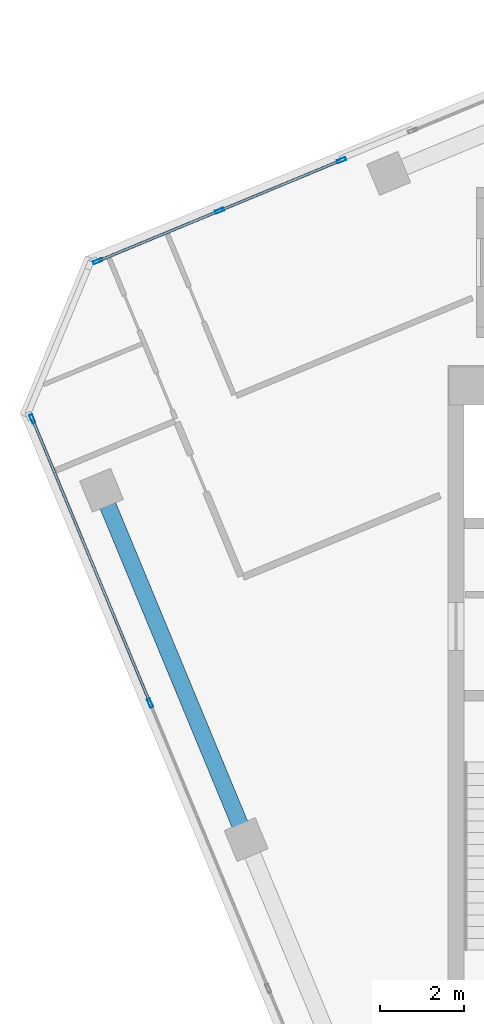
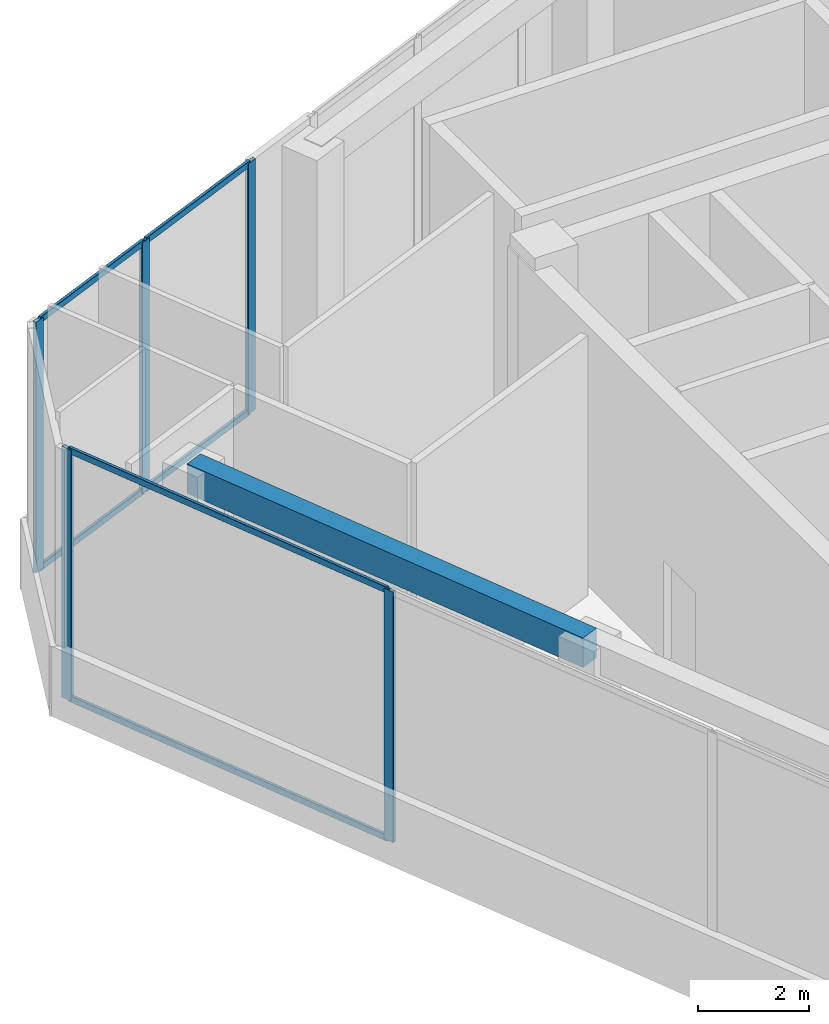
# One storey, part 5 of 16: 11 members, 1 beam, 2 elements without a shape of their own.
"""IFC4 building model written with IfcOpenShell, lengths in metres."""

from ifc_helpers import new_model, si_unit, direction, frame, origin, origin_2d, place, context, subcontext, project, spatial, rectangle, hollow_rectangle, extrude, source, transform, mapped, material, material_profile, profile_set, type_object, element, aggregate, save


model = new_model("IFC4")

# Units and contexts
model_context = context("Model", 3, precision=1e-05, world=origin(), true_north=direction((0.0, 1.0)))
body_context = subcontext(model_context, "Body", "Model", "MODEL_VIEW")
ifc_project = project(units=[si_unit("LENGTHUNIT", "METRE"), si_unit("AREAUNIT", "SQUARE_METRE"), si_unit("VOLUMEUNIT", "CUBIC_METRE"), si_unit("PLANEANGLEUNIT", "RADIAN"), si_unit("MASSUNIT", "GRAM", prefix="KILO")], contexts=[model_context])

# Site, building, storey
site_placement = place(None, origin())
site = spatial("IfcSite", under=ifc_project, at=site_placement, CompositionType="ELEMENT")
building_placement = place(site_placement, origin())
building = spatial("IfcBuilding", under=site, at=building_placement, Name="Torre Montelarca", CompositionType="ELEMENT")
storey_placement = place(building_placement, frame((0.0, 0.0, 360.0)))
storey = spatial("IfcBuildingStorey", under=building, at=storey_placement, Name="L81", CompositionType="ELEMENT", Elevation=360.0)

# Beam
ifc_material_1 = material(Name="Concrete C40/50", Category="concrete")
ifc_material_profile_1 = material_profile(ifc_material_1, rectangle(XDim=0.39990234375, YDim=0.64990234375, at=origin_2d()), Name="RCB400X650", Category="concrete")
ifc_profile_set_1 = profile_set([ifc_material_profile_1], Name="Concrete C40/50")
beam_type = type_object("IfcBeamType", Name="BM-SP-RC650-EXT", PredefinedType="SPANDREL", material=ifc_profile_set_1)
shared_shape_1 = source(origin(), body_context, "Body", "SweptSolid", [
    extrude(rectangle(XDim=0.39990234375, YDim=0.64990234375, at=origin_2d()), origin(), (0.0, 0.0, 1.0), 9.0),
])
beam_placement = place(storey_placement, frame((0.82568359375, 36.96630859375, 5.39501953125), z_axis=(0.382699975578, -0.923872679915, 0.0), x_axis=(0.923872679915, 0.382699975578, 0.0)))
element("IfcBeam", 1, at=beam_placement, inside=storey, type_object=beam_type, Name="L81 Grid Girder X 9.0-18.0 at Y=14.8", PredefinedType="SPANDREL", context=body_context, shape_type="MappedRepresentation", body=[
    mapped(shared_shape_1, transform((0.0, 0.0, 0.0), scale=1.0)),
])

# Curtain wall, members
ifc_material_2 = material(Name="Insulated low-E laminated glass", Category="glass")
curtain_wall_type = type_object("IfcCurtainWallType", Name="CW-SYS-Z4", PredefinedType="USERDEFINED", material=ifc_material_2)
curtain_wall_1_placement = place(storey_placement, origin())
curtain_wall_1 = element("IfcCurtainWall", 2, at=curtain_wall_1_placement, inside=storey, type_object=curtain_wall_type, Name="L81 Curtain Wall Run CW-T3-L81-E01-B1", ObjectType="UNITISED GLAZING", PredefinedType="USERDEFINED")
ifc_material_3 = material(Name="Anodised aluminium AA 6063-T6", Category="aluminium")
ifc_material_profile_2 = material_profile(ifc_material_3, hollow_rectangle(XDim=0.074951171875, YDim=0.219970703125, WallThickness=0.0048828125, InnerFilletRadius=0.0048828125, OuterFilletRadius=0.010009765625, at=origin_2d()), Name="ALU75X220X5", Category="aluminium")
ifc_profile_set_2 = profile_set([ifc_material_profile_2], Name="Anodised aluminium AA 6063-T6")
member_type_1 = type_object("IfcMemberType", Name="CWM-ALU220", PredefinedType="MULLION", material=ifc_profile_set_2)
shared_shape_2 = source(origin(), body_context, "Body", "SweptSolid", [
    extrude(hollow_rectangle(XDim=0.074951171875, YDim=0.219970703125, WallThickness=0.0048828125, InnerFilletRadius=0.0048828125, OuterFilletRadius=0.010009765625, at=origin_2d()), origin(), (0.0, 0.0, 1.0), 5.52001953125),
])
member_1_placement = place(storey_placement, frame((-0.818603515625, 38.662841796875, 0.0), z_axis=(0.0, 0.0, 1.0), x_axis=(0.923880362312, 0.382681429043, 0.0)))
member_1 = element("IfcMember", 3, at=member_1_placement, type_object=member_type_1, Name="CW mullion 1", PredefinedType="MULLION", context=body_context, shape_type="MappedRepresentation", body=[
    mapped(shared_shape_2, transform((0.0, 0.0, 0.0), scale=1.0)),
])
member_2_placement = place(storey_placement, frame((1.98193359375, 31.9013671875, 0.0), z_axis=(0.0, 0.0, 1.0), x_axis=(0.923880362312, 0.382681429043, 0.0)))
member_2 = element("IfcMember", 4, at=member_2_placement, type_object=member_type_1, Name="CW mullion 2", PredefinedType="MULLION", context=body_context, shape_type="MappedRepresentation", body=[
    mapped(shared_shape_2, transform((0.0, 0.0, 0.0), scale=1.0)),
])

curtain_wall_2_placement = place(storey_placement, origin())
curtain_wall_2 = element("IfcCurtainWall", 5, at=curtain_wall_2_placement, inside=storey, type_object=curtain_wall_type, Name="L81 Curtain Wall Run CW-T3-L81-E10-B4", ObjectType="UNITISED GLAZING", PredefinedType="USERDEFINED")
member_3_placement = place(storey_placement, frame((6.53759765625, 44.820068359375, 0.0), z_axis=(0.0, 0.0, 1.0), x_axis=(0.382683526856, -0.923879493372, 0.0)))
member_3 = element("IfcMember", 6, at=member_3_placement, type_object=member_type_1, Name="CW mullion 1", PredefinedType="MULLION", context=body_context, shape_type="MappedRepresentation", body=[
    mapped(shared_shape_2, transform((0.0, 0.0, 0.0), scale=1.0)),
])
member_4_placement = place(storey_placement, frame((3.636962890625, 43.618408203125, 0.0), z_axis=(0.0, 0.0, 1.0), x_axis=(0.382683526856, -0.923879493372, 0.0)))
member_4 = element("IfcMember", 7, at=member_4_placement, type_object=member_type_1, Name="CW mullion 2", PredefinedType="MULLION", context=body_context, shape_type="MappedRepresentation", body=[
    mapped(shared_shape_2, transform((0.0, 0.0, 0.0), scale=1.0)),
])
member_5_placement = place(storey_placement, frame((0.736328125, 42.4169921875, 0.0), z_axis=(0.0, 0.0, 1.0), x_axis=(0.382683526856, -0.923879493372, 0.0)))
member_5 = element("IfcMember", 8, at=member_5_placement, type_object=member_type_1, Name="CW mullion 3", PredefinedType="MULLION", context=body_context, shape_type="MappedRepresentation", body=[
    mapped(shared_shape_2, transform((0.0, 0.0, 0.0), scale=1.0)),
])

# Member
ifc_material_profile_3 = material_profile(ifc_material_3, hollow_rectangle(XDim=0.06494140625, YDim=0.139892578125, WallThickness=0.00390625, InnerFilletRadius=0.00390625, OuterFilletRadius=0.008056640625, at=origin_2d()), Name="ALU65X140X4", Category="aluminium")
ifc_profile_set_3 = profile_set([ifc_material_profile_3], Name="Anodised aluminium AA 6063-T6")
member_type_2 = type_object("IfcMemberType", Name="CWT-ALU140", PredefinedType="USERDEFINED", material=ifc_profile_set_3)
shared_shape_3 = source(origin(), body_context, "Body", "SweptSolid", [
    extrude(hollow_rectangle(XDim=0.06494140625, YDim=0.139892578125, WallThickness=0.00390625, InnerFilletRadius=0.00390625, OuterFilletRadius=0.008056640625, at=origin_2d()), origin(), (0.0, 0.0, 1.0), 7.243408203125),
])
member_6_placement = place(storey_placement, frame((-0.80419921875, 38.628173828125, 0.032470703125), z_axis=(0.382683203417, -0.923879627345, 0.0), x_axis=(0.923879627345, 0.382683203417, 0.0)))
member_6 = element("IfcMember", 9, at=member_6_placement, type_object=member_type_2, Name="CW transom 1.1", ObjectType="TRANSOM", PredefinedType="USERDEFINED", context=body_context, shape_type="MappedRepresentation", body=[
    mapped(shared_shape_3, transform((0.0, 0.0, 0.0), scale=1.0)),
])

member_7_placement = place(storey_placement, frame((-0.80419921875, 38.628173828125, 5.487548828125), z_axis=(0.382683203417, -0.923879627345, 0.0), x_axis=(0.923879627345, 0.382683203417, 0.0)))
member_7 = element("IfcMember", 10, at=member_7_placement, type_object=member_type_2, Name="CW transom 1.2", ObjectType="TRANSOM", PredefinedType="USERDEFINED", context=body_context, shape_type="MappedRepresentation", body=[
    mapped(shared_shape_3, transform((0.0, 0.0, 0.0), scale=1.0)),
])

aggregate(curtain_wall_1, [member_1, member_2, member_6, member_7])

shared_shape_4 = source(origin(), body_context, "Body", "SweptSolid", [
    extrude(hollow_rectangle(XDim=0.06494140625, YDim=0.139892578125, WallThickness=0.00390625, InnerFilletRadius=0.00390625, OuterFilletRadius=0.008056640625, at=origin_2d()), origin(), (0.0, 0.0, 1.0), 3.064697265625),
])
member_8_placement = place(storey_placement, frame((6.5029296875, 44.8056640625, 0.032470703125), z_axis=(-0.92386924278, -0.382708273029, 0.0), x_axis=(0.382708273029, -0.92386924278, 0.0)))
member_8 = element("IfcMember", 11, at=member_8_placement, type_object=member_type_2, Name="CW transom 1.1", ObjectType="TRANSOM", PredefinedType="USERDEFINED", context=body_context, shape_type="MappedRepresentation", body=[
    mapped(shared_shape_4, transform((0.0, 0.0, 0.0), scale=1.0)),
])

member_9_placement = place(storey_placement, frame((6.5029296875, 44.8056640625, 5.487548828125), z_axis=(-0.92386924278, -0.382708273029, 0.0), x_axis=(0.382708273029, -0.92386924278, 0.0)))
member_9 = element("IfcMember", 12, at=member_9_placement, type_object=member_type_2, Name="CW transom 1.2", ObjectType="TRANSOM", PredefinedType="USERDEFINED", context=body_context, shape_type="MappedRepresentation", body=[
    mapped(shared_shape_4, transform((0.0, 0.0, 0.0), scale=1.0)),
])

member_10_placement = place(storey_placement, frame((3.602294921875, 43.604248046875, 0.032470703125), z_axis=(-0.92386924278, -0.382708273029, 0.0), x_axis=(0.382708273029, -0.92386924278, 0.0)))
member_10 = element("IfcMember", 13, at=member_10_placement, type_object=member_type_2, Name="CW transom 2.1", ObjectType="TRANSOM", PredefinedType="USERDEFINED", context=body_context, shape_type="MappedRepresentation", body=[
    mapped(shared_shape_4, transform((0.0, 0.0, 0.0), scale=1.0)),
])

member_11_placement = place(storey_placement, frame((3.602294921875, 43.604248046875, 5.487548828125), z_axis=(-0.92386924278, -0.382708273029, 0.0), x_axis=(0.382708273029, -0.92386924278, 0.0)))
member_11 = element("IfcMember", 14, at=member_11_placement, type_object=member_type_2, Name="CW transom 2.2", ObjectType="TRANSOM", PredefinedType="USERDEFINED", context=body_context, shape_type="MappedRepresentation", body=[
    mapped(shared_shape_4, transform((0.0, 0.0, 0.0), scale=1.0)),
])

aggregate(curtain_wall_2, [member_3, member_4, member_5, member_8, member_9, member_10, member_11])

save(model, "model.ifc")
